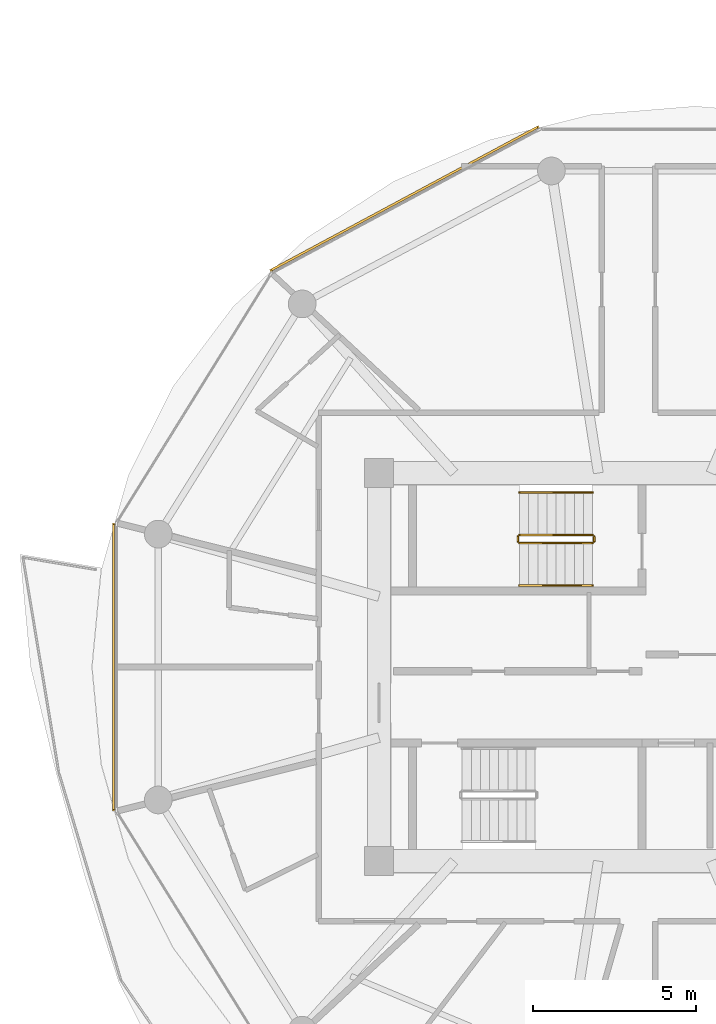
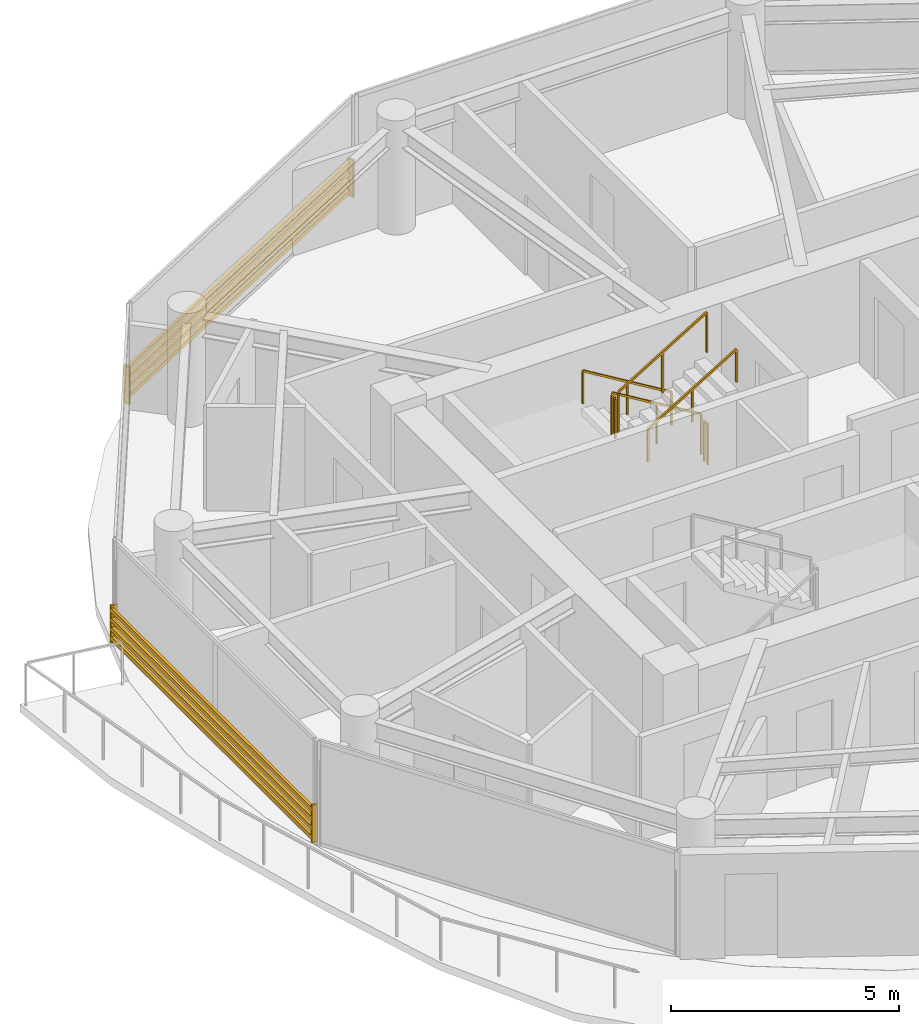
# One storey, part 22 of 24: 6 railings, 2 shading devices.
"""IFC4 building model written with IfcOpenShell, lengths in metres."""

from ifc_helpers import new_model, si_unit, direction, frame, origin, origin_2d, place, context, subcontext, project, spatial, rectangle, extrude, source, transform, mapped, material, type_object, type_shapes, element, save


model = new_model("IFC4")

# Units and contexts
model_context = context("Model", 3, precision=1e-05, world=origin(), true_north=direction((0.0, 1.0)))
body_context = subcontext(model_context, "Body", "Model", "MODEL_VIEW")
ifc_project = project(units=[si_unit("LENGTHUNIT", "METRE"), si_unit("AREAUNIT", "SQUARE_METRE"), si_unit("VOLUMEUNIT", "CUBIC_METRE"), si_unit("PLANEANGLEUNIT", "RADIAN"), si_unit("MASSUNIT", "GRAM", prefix="KILO")], contexts=[model_context])

# Site, building, storey
site_placement = place(None, origin())
site = spatial("IfcSite", under=ifc_project, at=site_placement, CompositionType="ELEMENT")
building_placement = place(site_placement, origin())
building = spatial("IfcBuilding", under=site, at=building_placement, Name="Norrkilde Senior Care Towers", CompositionType="ELEMENT")
storey_placement = place(building_placement, frame((0.0, 0.0, 108.449951171875)))
storey = spatial("IfcBuildingStorey", under=building, at=storey_placement, Name="L33", CompositionType="ELEMENT", Elevation=108.449951171875)

# Railings
ifc_material_1 = material(Name="Stainless Steel", Category="steel")
railing_type_1 = type_object("IfcRailingType", Name="Stair and Terrace Guardrail 1100", PredefinedType="GUARDRAIL", material=ifc_material_1)
railing_1_placement = place(storey_placement, frame((-29.10009765625, 4.050048828125, 0.16943359375)))
element("IfcRailing", 1, at=railing_1_placement, inside=storey, type_object=railing_type_1, Name="L33 ST-W1 stair guard 1", PredefinedType="GUARDRAIL", context=body_context, shape_type="SweptSolid", body=[
    extrude(rectangle(XDim=0.048095703125, YDim=0.048095703125, at=origin_2d()), frame((0.0, 0.0, 1.076171875), z_axis=(-0.855512035549, 0.0, 0.517782924622), x_axis=(0.0, -1.0, 0.0)), (0.0, 0.0, 1.0), 2.618408203125),
    extrude(rectangle(XDim=0.0419921875, YDim=0.0419921875, at=origin_2d()), origin(), (0.0, 0.0, 1.0), 1.050048828125),
    extrude(rectangle(XDim=0.0419921875, YDim=0.0419921875, at=origin_2d()), frame((-1.1201171875, 0.0, 0.677734375)), (0.0, 0.0, 1.0), 1.050048828125),
    extrude(rectangle(XDim=0.0419921875, YDim=0.0419921875, at=origin_2d()), frame((-2.239990234375, 0.0, 1.355712890625)), (0.0, 0.0, 1.0), 1.050048828125),
])
railing_2_placement = place(storey_placement, frame((-31.389892578125, 4.0, 1.525146484375)))
element("IfcRailing", 2, at=railing_2_placement, inside=storey, type_object=railing_type_1, Name="L33 ST-W1 stair guard 2", PredefinedType="GUARDRAIL", context=body_context, shape_type="SweptSolid", body=[
    extrude(rectangle(XDim=0.048095703125, YDim=0.048095703125, at=origin_2d()), frame((0.0, 0.0, 1.076171875), z_axis=(0.0, -1.0, 0.0), x_axis=(1.0, 0.0, 0.0)), (0.0, 0.0, 1.0), 0.14990234375),
    extrude(rectangle(XDim=0.0419921875, YDim=0.0419921875, at=origin_2d()), origin(), (0.0, 0.0, 1.0), 1.050048828125),
    extrude(rectangle(XDim=0.0419921875, YDim=0.0419921875, at=origin_2d()), frame((0.0, -0.14990234375, 0.0)), (0.0, 0.0, 1.0), 1.050048828125),
])
railing_3_placement = place(storey_placement, frame((-31.340087890625, 3.800048828125, 1.694580078125)))
element("IfcRailing", 3, at=railing_3_placement, inside=storey, type_object=railing_type_1, Name="L33 ST-W1 stair guard 3", PredefinedType="GUARDRAIL", context=body_context, shape_type="SweptSolid", body=[
    extrude(rectangle(XDim=0.048095703125, YDim=0.048095703125, at=origin_2d()), frame((0.0, 0.0, 1.076171875), z_axis=(0.855553338991, 0.0, 0.51771467445), x_axis=(0.0, 1.0, 0.0)), (0.0, 0.0, 1.0), 2.6181640625),
    extrude(rectangle(XDim=0.0419921875, YDim=0.0419921875, at=origin_2d()), origin(), (0.0, 0.0, 1.0), 1.050048828125),
    extrude(rectangle(XDim=0.0419921875, YDim=0.0419921875, at=origin_2d()), frame((1.1201171875, 0.0, 0.677734375)), (0.0, 0.0, 1.0), 1.050048828125),
    extrude(rectangle(XDim=0.0419921875, YDim=0.0419921875, at=origin_2d()), frame((2.239990234375, 0.0, 1.35546875)), (0.0, 0.0, 1.0), 1.050048828125),
])
railing_4_placement = place(storey_placement, frame((-29.050048828125, 4.0, 0.0)))
element("IfcRailing", 4, at=railing_4_placement, inside=storey, type_object=railing_type_1, Name="L33 ST-W1 stair guard 4", PredefinedType="GUARDRAIL", context=body_context, shape_type="SweptSolid", body=[
    extrude(rectangle(XDim=0.048095703125, YDim=0.048095703125, at=origin_2d()), frame((0.0, 0.0, 1.076171875), z_axis=(0.0, -1.0, 0.0), x_axis=(1.0, 0.0, 0.0)), (0.0, 0.0, 1.0), 0.14990234375),
    extrude(rectangle(XDim=0.0419921875, YDim=0.0419921875, at=origin_2d()), origin(), (0.0, 0.0, 1.0), 1.050048828125),
    extrude(rectangle(XDim=0.0419921875, YDim=0.0419921875, at=origin_2d()), frame((0.0, -0.14990234375, 0.0)), (0.0, 0.0, 1.0), 1.050048828125),
])
ifc_material_2 = material(Name="Nordic Ash Timber", Category="wood")
railing_type_2 = type_object("IfcRailingType", Name="Wall and Stair Handrail 900", PredefinedType="HANDRAIL", material=ifc_material_2)
railing_5_placement = place(storey_placement, frame((-29.10009765625, 5.35009765625, 0.16943359375)))
element("IfcRailing", 5, at=railing_5_placement, inside=storey, type_object=railing_type_2, Name="L33 ST-W1 stair handrail 1", PredefinedType="HANDRAIL", context=body_context, shape_type="SweptSolid", body=[
    extrude(rectangle(XDim=0.048095703125, YDim=0.048095703125, at=origin_2d()), frame((0.0, 0.0, 0.8759765625), z_axis=(-0.855512035549, 0.0, 0.517782924622), x_axis=(0.0, -1.0, 0.0)), (0.0, 0.0, 1.0), 2.618408203125),
    extrude(rectangle(XDim=0.0419921875, YDim=0.0419921875, at=origin_2d()), origin(), (0.0, 0.0, 1.0), 0.849853515625),
    extrude(rectangle(XDim=0.0419921875, YDim=0.0419921875, at=origin_2d()), frame((-1.1201171875, 0.0, 0.677734375)), (0.0, 0.0, 1.0), 0.849853515625),
    extrude(rectangle(XDim=0.0419921875, YDim=0.0419921875, at=origin_2d()), frame((-2.239990234375, 0.0, 1.355712890625)), (0.0, 0.0, 1.0), 0.849853515625),
])
railing_6_placement = place(storey_placement, frame((-31.340087890625, 2.5, 1.694580078125)))
element("IfcRailing", 6, at=railing_6_placement, inside=storey, type_object=railing_type_2, Name="L33 ST-W1 stair handrail 2", PredefinedType="HANDRAIL", context=body_context, shape_type="SweptSolid", body=[
    extrude(rectangle(XDim=0.048095703125, YDim=0.048095703125, at=origin_2d()), frame((0.0, 0.0, 0.8759765625), z_axis=(0.855553338991, 0.0, 0.51771467445), x_axis=(0.0, 1.0, 0.0)), (0.0, 0.0, 1.0), 2.6181640625),
    extrude(rectangle(XDim=0.0419921875, YDim=0.0419921875, at=origin_2d()), origin(), (0.0, 0.0, 1.0), 0.849853515625),
    extrude(rectangle(XDim=0.0419921875, YDim=0.0419921875, at=origin_2d()), frame((1.1201171875, 0.0, 0.677734375)), (0.0, 0.0, 1.0), 0.849853515625),
    extrude(rectangle(XDim=0.0419921875, YDim=0.0419921875, at=origin_2d()), frame((2.239990234375, 0.0, 1.35546875)), (0.0, 0.0, 1.0), 0.849853515625),
])

# Shading devices
ifc_material_3 = material(Name="Architectural Terracotta", Category="masonry")
shading_device_type = type_object("IfcShadingDeviceType", Name="Horizontal Terracotta Baguette Rack", PredefinedType="USERDEFINED", material=ifc_material_3)
shared_shape_1 = source(origin(), body_context, "Body", "SweptSolid", [
    extrude(rectangle(XDim=0.070068359375, YDim=0.110107421875, at=origin_2d()), frame((0.0, 0.090087890625, 0.125), z_axis=(1.0, 0.0, 0.0), x_axis=(0.0, 1.0, 0.0)), (0.0, 0.0, 1.0), 9.3505859375),
    extrude(rectangle(XDim=0.070068359375, YDim=0.110107421875, at=origin_2d()), frame((0.0, 0.090087890625, 0.375), z_axis=(1.0, 0.0, 0.0), x_axis=(0.0, 1.0, 0.0)), (0.0, 0.0, 1.0), 9.3505859375),
    extrude(rectangle(XDim=0.070068359375, YDim=0.110107421875, at=origin_2d()), frame((0.0, 0.090087890625, 0.625), z_axis=(1.0, 0.0, 0.0), x_axis=(0.0, 1.0, 0.0)), (0.0, 0.0, 1.0), 9.3505859375),
    extrude(rectangle(XDim=0.070068359375, YDim=0.110107421875, at=origin_2d()), frame((0.0, 0.090087890625, 0.875), z_axis=(1.0, 0.0, 0.0), x_axis=(0.0, 1.0, 0.0)), (0.0, 0.0, 1.0), 9.3505859375),
    extrude(rectangle(XDim=0.050048828125, YDim=0.1552734375, at=origin_2d()), frame((0.02490234375, 0.047607421875, 0.0)), (0.0, 0.0, 1.0), 1.0),
    extrude(rectangle(XDim=0.050048828125, YDim=0.1552734375, at=origin_2d()), frame((9.32568359375, 0.047607421875, 0.0)), (0.0, 0.0, 1.0), 1.0),
])
shading_device_1_placement = place(storey_placement, frame((-38.946533203125, 12.077392578125, 0.080078125), z_axis=(0.0, 0.0, 1.0), x_axis=(0.881174934726, 0.472767624021, 0.0)))
element("IfcShadingDevice", 7, at=shading_device_1_placement, inside=storey, type_object=shading_device_type, Name="L33 Drum W Terracotta Baguette Screen 03", ObjectType="BAGUETTE", PredefinedType="USERDEFINED", context=body_context, shape_type="MappedRepresentation", body=[
    mapped(shared_shape_1, transform((0.0, 0.0, 0.0), x_axis=(1.0, 0.0, 0.0), y_axis=(0.0, 1.0, 0.0), z_axis=(0.0, 0.0, 1.0), scale=1.0)),
])
shared_shape_2 = source(origin(), body_context, "Body", "SweptSolid", [
    extrude(rectangle(XDim=0.070068359375, YDim=0.110107421875, at=origin_2d()), frame((0.0, 0.090087890625, 0.125), z_axis=(1.0, 0.0, 0.0), x_axis=(0.0, 1.0, 0.0)), (0.0, 0.0, 1.0), 8.84130859375),
    extrude(rectangle(XDim=0.070068359375, YDim=0.110107421875, at=origin_2d()), frame((0.0, 0.090087890625, 0.375), z_axis=(1.0, 0.0, 0.0), x_axis=(0.0, 1.0, 0.0)), (0.0, 0.0, 1.0), 8.84130859375),
    extrude(rectangle(XDim=0.070068359375, YDim=0.110107421875, at=origin_2d()), frame((0.0, 0.090087890625, 0.625), z_axis=(1.0, 0.0, 0.0), x_axis=(0.0, 1.0, 0.0)), (0.0, 0.0, 1.0), 8.84130859375),
    extrude(rectangle(XDim=0.070068359375, YDim=0.110107421875, at=origin_2d()), frame((0.0, 0.090087890625, 0.875), z_axis=(1.0, 0.0, 0.0), x_axis=(0.0, 1.0, 0.0)), (0.0, 0.0, 1.0), 8.84130859375),
    extrude(rectangle(XDim=0.050048828125, YDim=0.1552734375, at=origin_2d()), frame((0.02490234375, 0.047607421875, 0.0)), (0.0, 0.0, 1.0), 1.0),
    extrude(rectangle(XDim=0.050048828125, YDim=0.1552734375, at=origin_2d()), frame((8.81640625, 0.047607421875, 0.0)), (0.0, 0.0, 1.0), 1.0),
])
type_shapes(shading_device_type, [shared_shape_1, shared_shape_2])
shading_device_2_placement = place(storey_placement, frame((-43.70361328125, -4.420654296875, 0.080078125), z_axis=(0.0, 0.0, 1.0), x_axis=(0.0, 1.0, 0.0)))
element("IfcShadingDevice", 8, at=shading_device_2_placement, inside=storey, type_object=shading_device_type, Name="L33 Drum W Terracotta Baguette Screen 05", ObjectType="BAGUETTE", PredefinedType="USERDEFINED", context=body_context, shape_type="MappedRepresentation", body=[
    mapped(shared_shape_2, transform((0.0, 0.0, 0.0), x_axis=(1.0, 0.0, 0.0), y_axis=(0.0, 1.0, 0.0), z_axis=(0.0, 0.0, 1.0), scale=1.0)),
])

save(model, "model.ifc")
